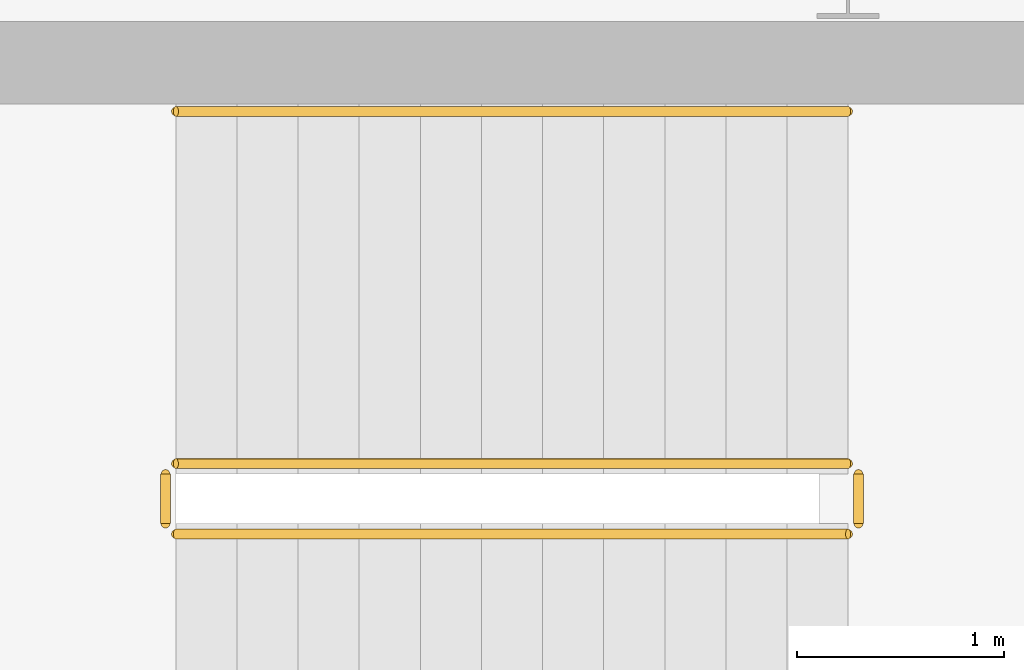
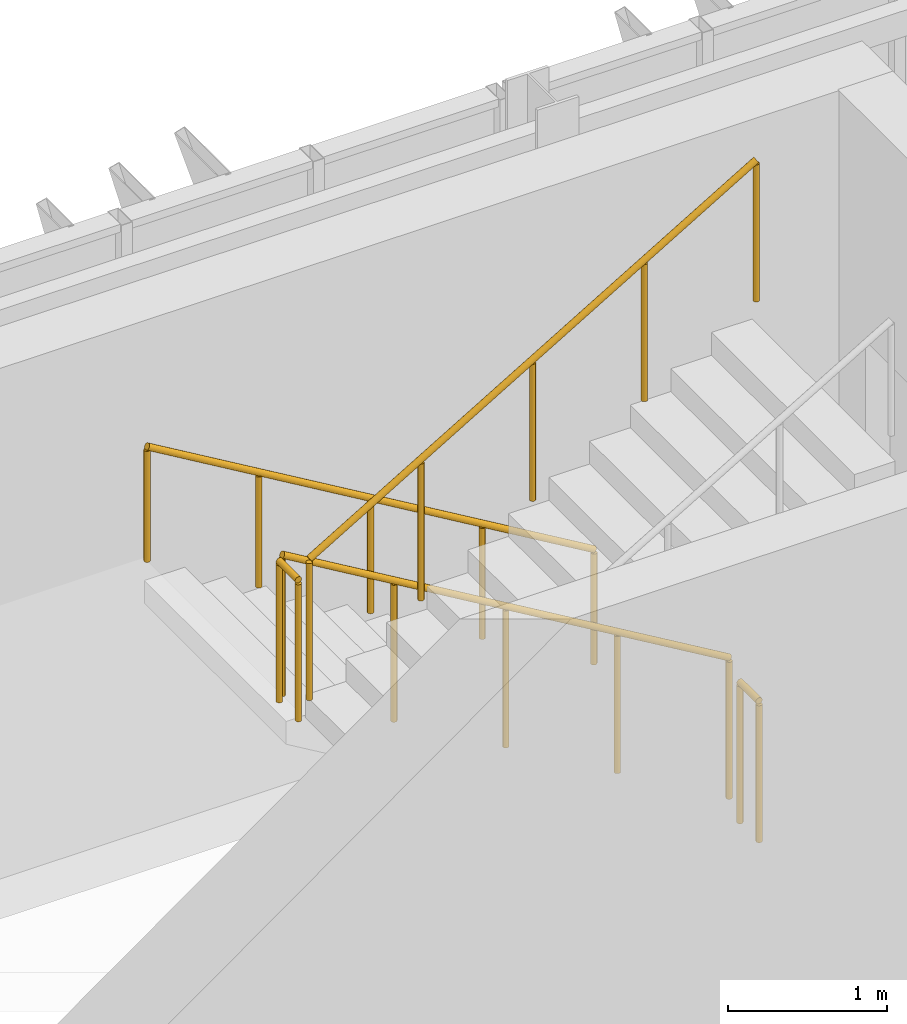
# One storey, part 122 of 127: 5 railings.
"""IFC4 building model written with IfcOpenShell, lengths in metres."""

from ifc_helpers import new_model, si_unit, direction, frame, origin, origin_2d, place, context, subcontext, project, spatial, circle, extrude, material, type_object, element, save


model = new_model("IFC4")

# Units and contexts
model_context = context("Model", 3, precision=1e-05, world=origin(), true_north=direction((0.0, 1.0)))
body_context = subcontext(model_context, "Body", "Model", "MODEL_VIEW")
ifc_project = project(units=[si_unit("LENGTHUNIT", "METRE"), si_unit("AREAUNIT", "SQUARE_METRE"), si_unit("VOLUMEUNIT", "CUBIC_METRE"), si_unit("PLANEANGLEUNIT", "RADIAN"), si_unit("MASSUNIT", "GRAM", prefix="KILO")], contexts=[model_context])

# Site, building, storey
site_placement = place(None, origin())
site = spatial("IfcSite", under=ifc_project, at=site_placement, CompositionType="ELEMENT")
building_placement = place(site_placement, origin())
building = spatial("IfcBuilding", under=site, at=building_placement, Name="Zayran Congress Hotel", CompositionType="ELEMENT")
storey_placement = place(building_placement, frame((0.0, 0.0, 10.800048828125)))
storey = spatial("IfcBuildingStorey", under=building, at=storey_placement, Name="L02", CompositionType="ELEMENT", Elevation=10.800048828125)

# Railings
ifc_material_1 = material(Name="Painted steel balustrade", Category="steel")
railing_type_1 = type_object("IfcRailingType", Name="TP-GRD-INT", PredefinedType="GUARDRAIL", material=ifc_material_1)
railing_1_placement = place(storey_placement, frame((16.800048828125, 115.050048828125, 0.175048828125)))
element("IfcRailing", 1, at=railing_1_placement, inside=storey, type_object=railing_type_1, Name="L02 ST-03 stair guard 1", PredefinedType="GUARDRAIL", context=body_context, shape_type="SweptSolid", body=[
    extrude(circle(Radius=0.02392578125, at=origin_2d()), frame((0.0, 0.0, 1.076171875), z_axis=(-0.860085452069, 0.0, 0.510149992786), x_axis=(0.0, -1.0, 0.0)), (0.0, 0.0, 1.0), 3.77294921875),
    extrude(circle(Radius=0.02099609375, at=origin_2d()), origin(), (0.0, 0.0, 1.0), 1.052001953125),
    extrude(circle(Radius=0.02099609375, at=origin_2d()), frame((-0.811279296875, 0.0, 0.481201171875)), (0.0, 0.0, 1.0), 1.052001953125),
    extrude(circle(Radius=0.02099609375, at=origin_2d()), frame((-1.62255859375, 0.0, 0.96240234375)), (0.0, 0.0, 1.0), 1.052001953125),
    extrude(circle(Radius=0.02099609375, at=origin_2d()), frame((-2.433837890625, 0.0, 1.443603515625)), (0.0, 0.0, 1.0), 1.052001953125),
    extrude(circle(Radius=0.02099609375, at=origin_2d()), frame((-3.2451171875, 0.0, 1.9248046875)), (0.0, 0.0, 1.0), 1.052001953125),
])
railing_2_placement = place(storey_placement, frame((13.5048828125, 115.0, 2.099853515625)))
element("IfcRailing", 2, at=railing_2_placement, inside=storey, type_object=railing_type_1, Name="L02 ST-03 stair guard 2", PredefinedType="GUARDRAIL", context=body_context, shape_type="SweptSolid", body=[
    extrude(circle(Radius=0.02392578125, at=origin_2d()), frame((0.0, 0.0, 1.076171875), z_axis=(0.0, -1.0, 0.0), x_axis=(1.0, 0.0, 0.0)), (0.0, 0.0, 1.0), 0.239990234375),
    extrude(circle(Radius=0.02099609375, at=origin_2d()), origin(), (0.0, 0.0, 1.0), 1.052001953125),
    extrude(circle(Radius=0.02099609375, at=origin_2d()), frame((0.0, -0.239990234375, 0.0)), (0.0, 0.0, 1.0), 1.052001953125),
])
railing_3_placement = place(storey_placement, frame((13.554931640625, 114.7099609375, 2.27490234375)))
element("IfcRailing", 3, at=railing_3_placement, inside=storey, type_object=railing_type_1, Name="L02 ST-03 stair guard 3", PredefinedType="GUARDRAIL", context=body_context, shape_type="SweptSolid", body=[
    extrude(circle(Radius=0.02392578125, at=origin_2d()), frame((0.0, 0.0, 1.076171875), z_axis=(0.860057060016, 0.0, 0.510197857224), x_axis=(0.0, 1.0, 0.0)), (0.0, 0.0, 1.0), 3.773193359375),
    extrude(circle(Radius=0.02099609375, at=origin_2d()), origin(), (0.0, 0.0, 1.0), 1.052001953125),
    extrude(circle(Radius=0.02099609375, at=origin_2d()), frame((0.811279296875, 0.0, 0.481201171875)), (0.0, 0.0, 1.0), 1.052001953125),
    extrude(circle(Radius=0.02099609375, at=origin_2d()), frame((1.62255859375, 0.0, 0.96240234375)), (0.0, 0.0, 1.0), 1.052001953125),
    extrude(circle(Radius=0.02099609375, at=origin_2d()), frame((2.433837890625, 0.0, 1.44384765625)), (0.0, 0.0, 1.0), 1.052001953125),
    extrude(circle(Radius=0.02099609375, at=origin_2d()), frame((3.2451171875, 0.0, 1.925048828125)), (0.0, 0.0, 1.0), 1.052001953125),
])
railing_4_placement = place(storey_placement, frame((16.85009765625, 115.0, 0.0)))
element("IfcRailing", 4, at=railing_4_placement, inside=storey, type_object=railing_type_1, Name="L02 ST-03 stair guard 4", PredefinedType="GUARDRAIL", context=body_context, shape_type="SweptSolid", body=[
    extrude(circle(Radius=0.02392578125, at=origin_2d()), frame((0.0, 0.0, 1.076171875), z_axis=(0.0, -1.0, 0.0), x_axis=(1.0, 0.0, 0.0)), (0.0, 0.0, 1.0), 0.239990234375),
    extrude(circle(Radius=0.02099609375, at=origin_2d()), origin(), (0.0, 0.0, 1.0), 1.052001953125),
    extrude(circle(Radius=0.02099609375, at=origin_2d()), frame((0.0, -0.239990234375, 0.0)), (0.0, 0.0, 1.0), 1.052001953125),
])
ifc_material_2 = material(Name="Brushed stainless steel handrail", Category="steel")
railing_type_2 = type_object("IfcRailingType", Name="TP-HND-STR", PredefinedType="HANDRAIL", material=ifc_material_2)
railing_5_placement = place(storey_placement, frame((16.800048828125, 116.75, 0.175048828125)))
element("IfcRailing", 5, at=railing_5_placement, inside=storey, type_object=railing_type_2, Name="L02 ST-03 stair handrail 1", PredefinedType="HANDRAIL", context=body_context, shape_type="SweptSolid", body=[
    extrude(circle(Radius=0.02392578125, at=origin_2d()), frame((0.0, 0.0, 0.8759765625), z_axis=(-0.860085452069, 0.0, 0.510149992786), x_axis=(0.0, -1.0, 0.0)), (0.0, 0.0, 1.0), 3.77294921875),
    extrude(circle(Radius=0.02099609375, at=origin_2d()), origin(), (0.0, 0.0, 1.0), 0.851806640625),
    extrude(circle(Radius=0.02099609375, at=origin_2d()), frame((-0.811279296875, 0.0, 0.481201171875)), (0.0, 0.0, 1.0), 0.851806640625),
    extrude(circle(Radius=0.02099609375, at=origin_2d()), frame((-1.62255859375, 0.0, 0.96240234375)), (0.0, 0.0, 1.0), 0.851806640625),
    extrude(circle(Radius=0.02099609375, at=origin_2d()), frame((-2.433837890625, 0.0, 1.443603515625)), (0.0, 0.0, 1.0), 0.851806640625),
    extrude(circle(Radius=0.02099609375, at=origin_2d()), frame((-3.2451171875, 0.0, 1.9248046875)), (0.0, 0.0, 1.0), 0.851806640625),
])

save(model, "model.ifc")
